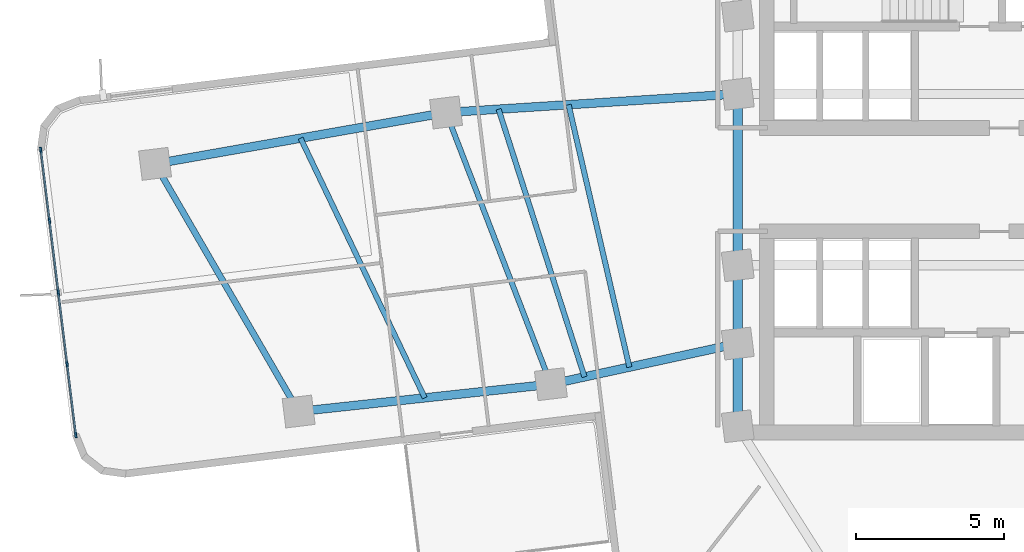
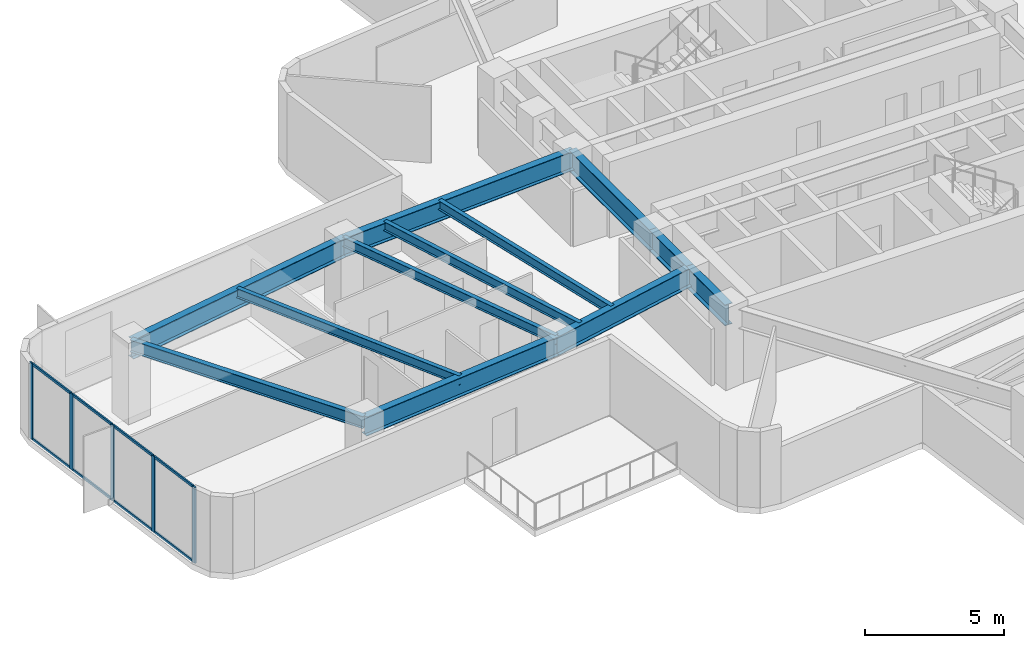
# One storey, part 2 of 13: 13 members, 12 beams, 1 element without a shape of its own.
"""IFC4 building model written with IfcOpenShell, lengths in metres."""

from ifc_helpers import new_model, si_unit, direction, frame, origin, origin_2d, place, context, subcontext, project, spatial, rectangle, i_section, extrude, material, layer, layer_set, material_profile, profile_set, type_object, element, aggregate, save


model = new_model("IFC4")

# Units and contexts
model_context = context("Model", 3, precision=1e-05, world=origin(), true_north=direction((0.0, 1.0)))
body_context = subcontext(model_context, "Body", "Model", "MODEL_VIEW")
ifc_project = project(units=[si_unit("LENGTHUNIT", "METRE"), si_unit("AREAUNIT", "SQUARE_METRE"), si_unit("VOLUMEUNIT", "CUBIC_METRE"), si_unit("PLANEANGLEUNIT", "RADIAN"), si_unit("MASSUNIT", "GRAM", prefix="KILO")], contexts=[model_context])

# Site, building, storey
site_placement = place(None, origin())
site = spatial("IfcSite", under=ifc_project, at=site_placement, CompositionType="ELEMENT")
building_placement = place(site_placement, origin())
building = spatial("IfcBuilding", under=site, at=building_placement, Name="Solmarez Civic Tower", CompositionType="ELEMENT")
storey_placement = place(building_placement, frame((0.0, 0.0, 82.080078125)))
storey = spatial("IfcBuildingStorey", under=building, at=storey_placement, Name="L21", CompositionType="ELEMENT", Elevation=82.080078125)

# Beams
ifc_material_1 = material(Name="Steel S355", Category="steel")
ifc_material_profile_1 = material_profile(ifc_material_1, i_section(OverallWidth=0.178955078125, OverallDepth=0.409912109375, WebThickness=0.0087890625, FlangeThickness=0.014404296875, at=origin_2d()), Name="W16X45")
ifc_profile_set_1 = profile_set([ifc_material_profile_1], Name="Steel S355")
beam_type_1 = type_object("IfcBeamType", Name="BM-JS-W16X45", PredefinedType="JOIST", material=ifc_profile_set_1)
beam_1_placement = place(storey_placement, frame((-18.72412109375, 2.27099609375, 3.135009765625), z_axis=(0.359984466214, -0.932958297077, 0.0), x_axis=(0.932958297077, 0.359984466214, 0.0)))
element("IfcBeam", 1, at=beam_1_placement, inside=storey, type_object=beam_type_1, Name="L21 Secondary Floor Joist BM-L21-WA-T1", PredefinedType="JOIST", context=body_context, shape_type="SweptSolid", body=[
    extrude(i_section(OverallWidth=0.178955078125, OverallDepth=0.409912109375, WebThickness=0.0087890625, FlangeThickness=0.014404296875, at=origin_2d()), origin(), (0.0, 0.0, 1.0), 9.85888671875),
])
beam_2_placement = place(storey_placement, frame((-23.64990234375, 1.402099609375, 3.135009765625), z_axis=(0.431491843414, -0.902116837814, 0.0), x_axis=(0.902116837814, 0.431491843414, 0.0)))
element("IfcBeam", 2, at=beam_2_placement, inside=storey, type_object=beam_type_1, Name="L21 Secondary Floor Joist JS-L21-WA-M2", PredefinedType="JOIST", context=body_context, shape_type="SweptSolid", body=[
    extrude(i_section(OverallWidth=0.178955078125, OverallDepth=0.409912109375, WebThickness=0.0087890625, FlangeThickness=0.014404296875, at=origin_2d()), origin(), (0.0, 0.0, 1.0), 9.744873046875),
])
beam_3_placement = place(storey_placement, frame((-14.576904296875, 2.534912109375, 3.135009765625), z_axis=(0.225762717226, -0.974182321494, 0.0), x_axis=(0.974182321494, 0.225762717226, 0.0)))
element("IfcBeam", 3, at=beam_3_placement, inside=storey, type_object=beam_type_1, Name="L21 Secondary Floor Joist JS-L21-WA-M11", PredefinedType="JOIST", context=body_context, shape_type="SweptSolid", body=[
    extrude(i_section(OverallWidth=0.178955078125, OverallDepth=0.409912109375, WebThickness=0.0087890625, FlangeThickness=0.014404296875, at=origin_2d()), origin(), (0.0, 0.0, 1.0), 9.119384765625),
])
beam_4_placement = place(storey_placement, frame((-16.947021484375, 2.384033203125, 3.135009765625), z_axis=(0.305705295997, -0.952126184914, 0.0), x_axis=(0.952126184914, 0.305705295997, 0.0)))
element("IfcBeam", 4, at=beam_4_placement, inside=storey, type_object=beam_type_1, Name="L21 Secondary Floor Joist JS-L21-WA-M12", PredefinedType="JOIST", context=body_context, shape_type="SweptSolid", body=[
    extrude(i_section(OverallWidth=0.178955078125, OverallDepth=0.409912109375, WebThickness=0.0087890625, FlangeThickness=0.014404296875, at=origin_2d()), origin(), (0.0, 0.0, 1.0), 9.518798828125),
])
ifc_material_profile_2 = material_profile(ifc_material_1, i_section(OverallWidth=0.2919921875, OverallDepth=0.845947265625, WebThickness=0.015380859375, FlangeThickness=0.0244140625, at=origin_2d()), Name="W33X141")
ifc_profile_set_2 = profile_set([ifc_material_profile_2], Name="Steel S355")
beam_type_2 = type_object("IfcBeamType", Name="BM-PR-W33X141", PredefinedType="BEAM", material=ifc_profile_set_2)
beam_5_placement = place(storey_placement, frame((-8.85009765625, 2.89990234375, 2.9169921875), z_axis=(-0.997977751208, -0.063564204508, 0.0), x_axis=(0.063564204508, -0.997977751208, 0.0)))
element("IfcBeam", 5, at=beam_5_placement, inside=storey, type_object=beam_type_2, Name="L21 Primary Floor Beam BM-L21-WA-R1A", PredefinedType="BEAM", context=body_context, shape_type="SweptSolid", body=[
    extrude(i_section(OverallWidth=0.2919921875, OverallDepth=0.845947265625, WebThickness=0.015380859375, FlangeThickness=0.0244140625, at=origin_2d()), origin(), (0.0, 0.0, 1.0), 9.89404296875),
])
beam_6_placement = place(storey_placement, frame((-8.85009765625, -5.550048828125, 2.9169921875), z_axis=(-0.977113347202, -0.212719314402, 0.0), x_axis=(0.212719314402, -0.977113347202, 0.0)))
element("IfcBeam", 6, at=beam_6_placement, inside=storey, type_object=beam_type_2, Name="L21 Primary Floor Beam BM-L21-WA-R1B", PredefinedType="BEAM", context=body_context, shape_type="SweptSolid", body=[
    extrude(i_section(OverallWidth=0.2919921875, OverallDepth=0.845947265625, WebThickness=0.015380859375, FlangeThickness=0.0244140625, at=origin_2d()), origin(), (0.0, 0.0, 1.0), 6.47314453125),
])
beam_7_placement = place(storey_placement, frame((-18.72412109375, 2.27099609375, 2.9169921875), z_axis=(-0.984792402105, -0.173735214497, 0.0), x_axis=(0.173735214497, -0.984792402105, 0.0)))
element("IfcBeam", 7, at=beam_7_placement, inside=storey, type_object=beam_type_2, Name="L21 Primary Floor Beam BM-L21-WA-R2A", PredefinedType="BEAM", context=body_context, shape_type="SweptSolid", body=[
    extrude(i_section(OverallWidth=0.2919921875, OverallDepth=0.845947265625, WebThickness=0.015380859375, FlangeThickness=0.0244140625, at=origin_2d()), origin(), (0.0, 0.0, 1.0), 10.00390625),
])
beam_8_placement = place(storey_placement, frame((-15.175048828125, -6.927001953125, 2.9169921875), z_axis=(-0.994196782435, -0.107576753045, 0.0), x_axis=(0.107576753045, -0.994196782435, 0.0)))
element("IfcBeam", 8, at=beam_8_placement, inside=storey, type_object=beam_type_2, Name="L21 Primary Floor Beam BM-L21-WA-R2B", PredefinedType="BEAM", context=body_context, shape_type="SweptSolid", body=[
    extrude(i_section(OverallWidth=0.2919921875, OverallDepth=0.845947265625, WebThickness=0.015380859375, FlangeThickness=0.0244140625, at=origin_2d()), origin(), (0.0, 0.0, 1.0), 8.58984375),
])
ifc_material_profile_3 = material_profile(ifc_material_1, i_section(OverallWidth=0.306884765625, OverallDepth=0.927001953125, WebThickness=0.019287109375, FlangeThickness=0.031982421875, at=origin_2d()), Name="W36X194")
ifc_profile_set_3 = profile_set([ifc_material_profile_3], Name="Steel S355")
beam_type_3 = type_object("IfcBeamType", Name="BM-PR-W36X194", PredefinedType="BEAM", material=ifc_profile_set_3)
beam_9_placement = place(storey_placement, frame((-8.85009765625, -8.35009765625, 2.876953125), z_axis=(0.0, 1.0, 0.0), x_axis=(-1.0, 0.0, 0.0)))
element("IfcBeam", 9, at=beam_9_placement, inside=storey, type_object=beam_type_3, Name="L21 Primary Floor Beam BM-L21-HC12-HC1", PredefinedType="BEAM", context=body_context, shape_type="SweptSolid", body=[
    extrude(i_section(OverallWidth=0.306884765625, OverallDepth=0.927001953125, WebThickness=0.019287109375, FlangeThickness=0.031982421875, at=origin_2d()), origin(), (0.0, 0.0, 1.0), 2.800048828125),
])
beam_10_placement = place(storey_placement, frame((-8.85009765625, -5.550048828125, 2.876953125), z_axis=(0.0, 1.0, 0.0), x_axis=(-1.0, 0.0, 0.0)))
element("IfcBeam", 10, at=beam_10_placement, inside=storey, type_object=beam_type_3, Name="L21 Primary Floor Beam BM-L21-HC1-HC2", PredefinedType="BEAM", context=body_context, shape_type="SweptSolid", body=[
    extrude(i_section(OverallWidth=0.306884765625, OverallDepth=0.927001953125, WebThickness=0.019287109375, FlangeThickness=0.031982421875, at=origin_2d()), origin(), (0.0, 0.0, 1.0), 2.650146484375),
])
beam_11_placement = place(storey_placement, frame((-8.85009765625, -2.89990234375, 2.876953125), z_axis=(0.0, 1.0, 0.0), x_axis=(-1.0, 0.0, 0.0)))
element("IfcBeam", 11, at=beam_11_placement, inside=storey, type_object=beam_type_3, Name="L21 Primary Floor Beam BM-L21-HC2-HC3", PredefinedType="BEAM", context=body_context, shape_type="SweptSolid", body=[
    extrude(i_section(OverallWidth=0.306884765625, OverallDepth=0.927001953125, WebThickness=0.019287109375, FlangeThickness=0.031982421875, at=origin_2d()), origin(), (0.0, 0.0, 1.0), 5.7998046875),
])
ifc_material_profile_4 = material_profile(ifc_material_1, i_section(OverallWidth=0.2109375, OverallDepth=0.5390625, WebThickness=0.01171875, FlangeThickness=0.018798828125, at=origin_2d()), Name="W21X73")
ifc_profile_set_4 = profile_set([ifc_material_profile_4], Name="Steel S355")
beam_type_4 = type_object("IfcBeamType", Name="BM-SP-W21X73", PredefinedType="SPANDREL", material=ifc_profile_set_4)
beam_12_placement = place(storey_placement, frame((-28.575927734375, 0.532958984375, 3.07080078125), z_axis=(0.501571424933, -0.865116238254, 0.0), x_axis=(0.865116238254, 0.501571424933, 0.0)))
element("IfcBeam", 12, at=beam_12_placement, inside=storey, type_object=beam_type_4, Name="L21 Perimeter Spandrel Beam BM-L21-WA-T2", PredefinedType="SPANDREL", context=body_context, shape_type="SweptSolid", body=[
    extrude(i_section(OverallWidth=0.2109375, OverallDepth=0.5390625, WebThickness=0.01171875, FlangeThickness=0.018798828125, at=origin_2d()), origin(), (0.0, 0.0, 1.0), 9.691162109375),
])

# Curtain wall, members
ifc_material_2 = material(Name="Bronze Anodised Aluminium EN AW-6063 T6", Category="aluminium")
ifc_layer = layer(ifc_material_2, 0.155029296875)
ifc_layer_set = layer_set([ifc_layer], Name="Bronze Anodised Aluminium EN AW-6063 T6")
curtain_wall_type = type_object("IfcCurtainWallType", Name="CW-SYS-6", PredefinedType="NOTDEFINED", material=ifc_layer_set)
curtain_wall_placement = place(storey_placement, origin())
curtain_wall = element("IfcCurtainWall", 13, at=curtain_wall_placement, inside=storey, type_object=curtain_wall_type, Name="L21 Stick-Built Curtain Wall 1", PredefinedType="NOTDEFINED")
ifc_material_profile_5 = material_profile(ifc_material_2, rectangle(XDim=0.070068359375, YDim=0.179931640625, at=origin_2d()), Name="CWM-70X180")
ifc_profile_set_5 = profile_set([ifc_material_profile_5], Name="Bronze Anodised Aluminium EN AW-6063 T6")
member_type_1 = type_object("IfcMemberType", Name="CWM-TYPE-2", PredefinedType="MULLION", material=ifc_profile_set_5)
member_1_placement = place(storey_placement, frame((-31.25927734375, -8.648193359375, 0.0), z_axis=(0.0, 0.0, 1.0), x_axis=(-0.992548652852, -0.121848970952, 0.0)))
member_1 = element("IfcMember", 14, at=member_1_placement, type_object=member_type_1, Name="CWS6 mullion 1", PredefinedType="MULLION", context=body_context, shape_type="SweptSolid", body=[
    extrude(rectangle(XDim=0.070068359375, YDim=0.179931640625, at=origin_2d()), origin(), (0.0, 0.0, 1.0), 3.33984375),
])
member_2_placement = place(storey_placement, frame((-31.553466796875, -6.25146484375, 0.0), z_axis=(0.0, 0.0, 1.0), x_axis=(-0.992548652852, -0.121848970952, 0.0)))
member_2 = element("IfcMember", 15, at=member_2_placement, type_object=member_type_1, Name="CWS6 mullion 2", PredefinedType="MULLION", context=body_context, shape_type="SweptSolid", body=[
    extrude(rectangle(XDim=0.070068359375, YDim=0.179931640625, at=origin_2d()), origin(), (0.0, 0.0, 1.0), 3.33984375),
])
member_3_placement = place(storey_placement, frame((-31.85205078125, -3.820068359375, 0.0), z_axis=(0.0, 0.0, 1.0), x_axis=(-0.992548652852, -0.121848970952, 0.0)))
member_3 = element("IfcMember", 16, at=member_3_placement, type_object=member_type_1, Name="CWS6 mullion 3", PredefinedType="MULLION", context=body_context, shape_type="SweptSolid", body=[
    extrude(rectangle(XDim=0.070068359375, YDim=0.179931640625, at=origin_2d()), origin(), (0.0, 0.0, 1.0), 3.33984375),
])
member_4_placement = place(storey_placement, frame((-32.150390625, -1.388427734375, 0.0), z_axis=(0.0, 0.0, 1.0), x_axis=(-0.992548652852, -0.121848970952, 0.0)))
member_4 = element("IfcMember", 17, at=member_4_placement, type_object=member_type_1, Name="CWS6 mullion 4", PredefinedType="MULLION", context=body_context, shape_type="SweptSolid", body=[
    extrude(rectangle(XDim=0.070068359375, YDim=0.179931640625, at=origin_2d()), origin(), (0.0, 0.0, 1.0), 3.33984375),
])
member_5_placement = place(storey_placement, frame((-32.44482421875, 1.00830078125, 0.0), z_axis=(0.0, 0.0, 1.0), x_axis=(-0.992548652852, -0.121848970952, 0.0)))
member_5 = element("IfcMember", 18, at=member_5_placement, type_object=member_type_1, Name="CWS6 mullion 5", PredefinedType="MULLION", context=body_context, shape_type="SweptSolid", body=[
    extrude(rectangle(XDim=0.070068359375, YDim=0.179931640625, at=origin_2d()), origin(), (0.0, 0.0, 1.0), 3.33984375),
])
ifc_material_profile_6 = material_profile(ifc_material_2, rectangle(XDim=0.06005859375, YDim=0.110107421875, at=origin_2d()), Name="CWT-60X110")
ifc_profile_set_6 = profile_set([ifc_material_profile_6], Name="Bronze Anodised Aluminium EN AW-6063 T6")
member_type_2 = type_object("IfcMemberType", Name="CWT-TYPE-3", PredefinedType="USERDEFINED", material=ifc_profile_set_6)
member_6_placement = place(storey_placement, frame((-31.263427734375, -8.613525390625, 0.030029296875), z_axis=(-0.12192009286, 0.992539919075, 0.0), x_axis=(-0.992539919075, -0.12192009286, 0.0)))
member_6 = element("IfcMember", 19, at=member_6_placement, type_object=member_type_2, Name="CWS6 transom 1.1", ObjectType="TRANSOM", PredefinedType="USERDEFINED", context=body_context, shape_type="SweptSolid", body=[
    extrude(rectangle(XDim=0.06005859375, YDim=0.110107421875, at=origin_2d()), origin(), (0.0, 0.0, 1.0), 2.344970703125),
])
member_7_placement = place(storey_placement, frame((-31.263427734375, -8.613525390625, 3.309814453125), z_axis=(-0.12192009286, 0.992539919075, 0.0), x_axis=(-0.992539919075, -0.12192009286, 0.0)))
member_7 = element("IfcMember", 20, at=member_7_placement, type_object=member_type_2, Name="CWS6 transom 1.2", ObjectType="TRANSOM", PredefinedType="USERDEFINED", context=body_context, shape_type="SweptSolid", body=[
    extrude(rectangle(XDim=0.06005859375, YDim=0.110107421875, at=origin_2d()), origin(), (0.0, 0.0, 1.0), 2.344970703125),
])
member_8_placement = place(storey_placement, frame((-31.557861328125, -6.216796875, 0.030029296875), z_axis=(-0.121774277205, 0.992557819682, 0.0), x_axis=(-0.992557819682, -0.121774277205, 0.0)))
member_8 = element("IfcMember", 21, at=member_8_placement, type_object=member_type_2, Name="CWS6 transom 2.1", ObjectType="TRANSOM", PredefinedType="USERDEFINED", context=body_context, shape_type="SweptSolid", body=[
    extrude(rectangle(XDim=0.06005859375, YDim=0.110107421875, at=origin_2d()), origin(), (0.0, 0.0, 1.0), 2.3798828125),
])
member_9_placement = place(storey_placement, frame((-31.557861328125, -6.216796875, 3.309814453125), z_axis=(-0.121774277205, 0.992557819682, 0.0), x_axis=(-0.992557819682, -0.121774277205, 0.0)))
member_9 = element("IfcMember", 22, at=member_9_placement, type_object=member_type_2, Name="CWS6 transom 2.2", ObjectType="TRANSOM", PredefinedType="USERDEFINED", context=body_context, shape_type="SweptSolid", body=[
    extrude(rectangle(XDim=0.06005859375, YDim=0.110107421875, at=origin_2d()), origin(), (0.0, 0.0, 1.0), 2.3798828125),
])
member_10_placement = place(storey_placement, frame((-31.856201171875, -3.78515625, 0.030029296875), z_axis=(-0.121887755042, 0.992543890803, 0.0), x_axis=(-0.992543890803, -0.121887755042, 0.0)))
member_10 = element("IfcMember", 23, at=member_10_placement, type_object=member_type_2, Name="CWS6 transom 3.1", ObjectType="TRANSOM", PredefinedType="USERDEFINED", context=body_context, shape_type="SweptSolid", body=[
    extrude(rectangle(XDim=0.06005859375, YDim=0.110107421875, at=origin_2d()), origin(), (0.0, 0.0, 1.0), 2.379638671875),
])
member_11_placement = place(storey_placement, frame((-31.856201171875, -3.78515625, 3.309814453125), z_axis=(-0.121887755042, 0.992543890803, 0.0), x_axis=(-0.992543890803, -0.121887755042, 0.0)))
member_11 = element("IfcMember", 24, at=member_11_placement, type_object=member_type_2, Name="CWS6 transom 3.2", ObjectType="TRANSOM", PredefinedType="USERDEFINED", context=body_context, shape_type="SweptSolid", body=[
    extrude(rectangle(XDim=0.06005859375, YDim=0.110107421875, at=origin_2d()), origin(), (0.0, 0.0, 1.0), 2.379638671875),
])
member_12_placement = place(storey_placement, frame((-32.15478515625, -1.353759765625, 0.030029296875), z_axis=(-0.121817522325, 0.992552513097, 0.0), x_axis=(-0.992552513097, -0.121817522325, 0.0)))
member_12 = element("IfcMember", 25, at=member_12_placement, type_object=member_type_2, Name="CWS6 transom 4.1", ObjectType="TRANSOM", PredefinedType="USERDEFINED", context=body_context, shape_type="SweptSolid", body=[
    extrude(rectangle(XDim=0.06005859375, YDim=0.110107421875, at=origin_2d()), origin(), (0.0, 0.0, 1.0), 2.344970703125),
])
member_13_placement = place(storey_placement, frame((-32.15478515625, -1.353759765625, 3.309814453125), z_axis=(-0.121817522325, 0.992552513097, 0.0), x_axis=(-0.992552513097, -0.121817522325, 0.0)))
member_13 = element("IfcMember", 26, at=member_13_placement, type_object=member_type_2, Name="CWS6 transom 4.2", ObjectType="TRANSOM", PredefinedType="USERDEFINED", context=body_context, shape_type="SweptSolid", body=[
    extrude(rectangle(XDim=0.06005859375, YDim=0.110107421875, at=origin_2d()), origin(), (0.0, 0.0, 1.0), 2.344970703125),
])
aggregate(curtain_wall, [member_1, member_2, member_3, member_4, member_5, member_6, member_7, member_8, member_9, member_10, member_11, member_12, member_13])

save(model, "model.ifc")
